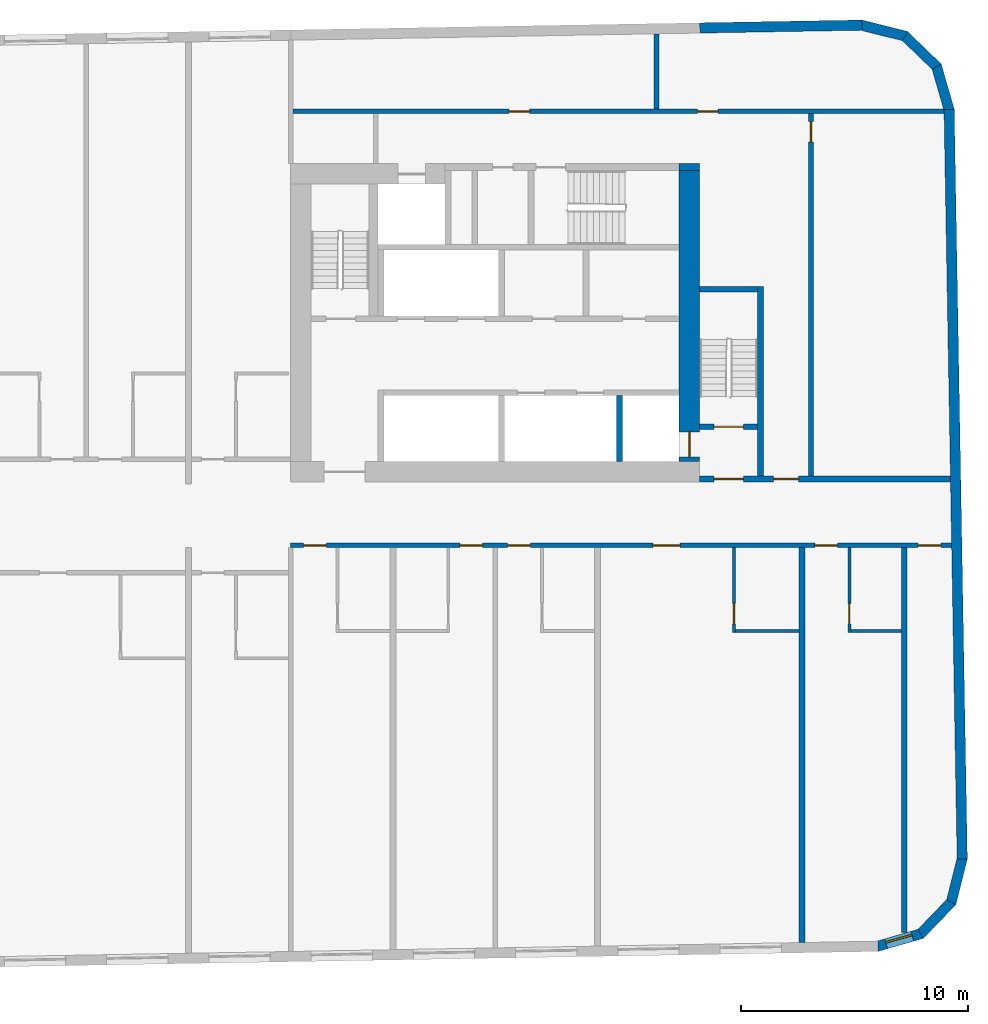
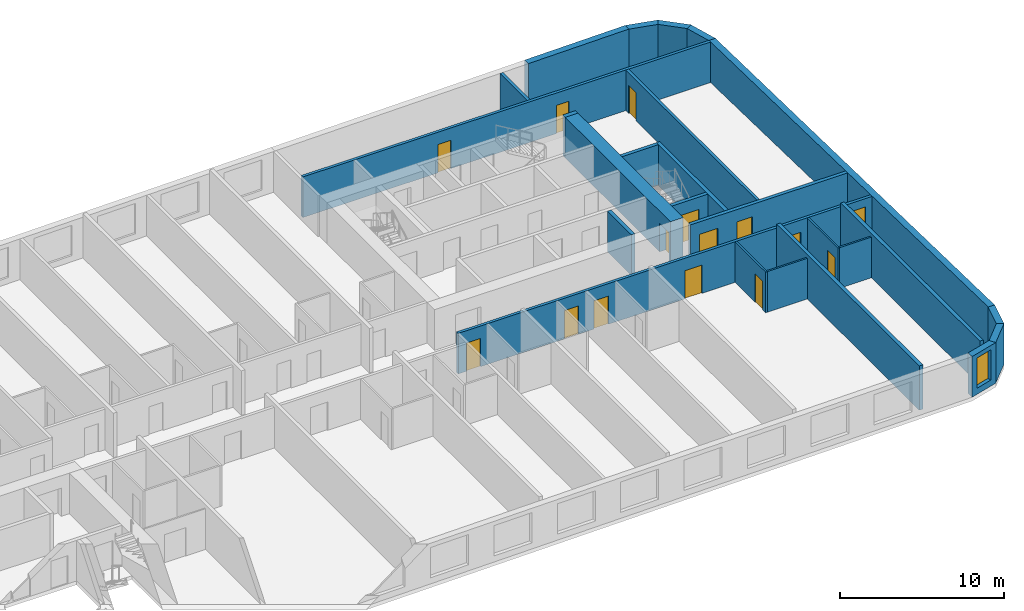
# One storey, part 7 of 11: 25 walls, 15 doors, 1 window, 16 openings.
"""IFC4 building model written with IfcOpenShell, lengths in metres."""

from ifc_helpers import new_model, si_unit, direction, frame, frame_2d, origin, place, context, subcontext, project, spatial, polyline, rectangle, outline, extrude, material, layer, layer_set, type_object, element, fill, save


model = new_model("IFC4")

# Units and contexts
model_context = context("Model", 3, precision=1e-05, world=origin(), true_north=direction((0.0, 1.0)))
body_context = subcontext(model_context, "Body", "Model", "MODEL_VIEW")
ifc_project = project(units=[si_unit("LENGTHUNIT", "METRE"), si_unit("AREAUNIT", "SQUARE_METRE"), si_unit("VOLUMEUNIT", "CUBIC_METRE"), si_unit("PLANEANGLEUNIT", "RADIAN"), si_unit("MASSUNIT", "GRAM", prefix="KILO")], contexts=[model_context])

# Site, building, storey
site_placement = place(None, origin())
site = spatial("IfcSite", under=ifc_project, at=site_placement, CompositionType="ELEMENT")
building_placement = place(site_placement, origin())
building = spatial("IfcBuilding", under=site, at=building_placement, Name="Kajstack Hotel Tower", CompositionType="ELEMENT")
storey_placement = place(building_placement, frame((0.0, 0.0, 240.800048828125)))
storey = spatial("IfcBuildingStorey", under=building, at=storey_placement, Name="L59", CompositionType="ELEMENT", Elevation=240.800048828125)

# Wall
ifc_material_1 = material(Name="Concrete C60/75", Category="concrete")
ifc_layer_1 = layer(ifc_material_1, 0.89990234375)
ifc_layer_set_1 = layer_set([ifc_layer_1], Name="Core wall 900")
wall_type_1 = type_object("IfcWallType", Name="Core wall 900", PredefinedType="SHEAR", material=ifc_layer_set_1)
wall_1_placement = place(storey_placement, frame((30.60009765625, 15.35009765625, 0.0), z_axis=(0.0, 0.0, 1.0), x_axis=(1.0, 0.0, 0.0)))
element("IfcWall", 1, at=wall_1_placement, inside=storey, type_object=wall_type_1, Name="Core wall E RSW", PredefinedType="SHEAR", context=body_context, shape_type="SweptSolid", body=[
    extrude(rectangle(XDim=0.89990234375, YDim=0.300048828125, at=frame_2d((0.449951171875, 0.0))), origin(), (0.0, 0.0, 1.0), 3.02001953125),
])

# Wall, opening, door
wall_2_placement = place(storey_placement, frame((31.050048828125, 2.39990234375, 0.0), z_axis=(0.0, 0.0, 1.0), x_axis=(0.0, 1.0, 0.0)))
wall_2 = element("IfcWall", 2, at=wall_2_placement, inside=storey, type_object=wall_type_1, Name="Core wall E RW", PredefinedType="SHEAR", context=body_context, shape_type="SweptSolid", body=[
    extrude(rectangle(XDim=12.800048828125, YDim=0.89990234375, at=frame_2d((6.39990234375, 0.0))), origin(), (0.0, 0.0, 1.0), 3.02001953125),
])
opening_1_placement = place(wall_2_placement, frame((0.199951171875, 0.0, 0.0)))
opening_1 = element("IfcOpeningElement", 3, at=opening_1_placement, cuts=wall_2, Name="Opening LD-FF2", PredefinedType="OPENING", context=body_context, shape_type="SweptSolid", body=[
    extrude(rectangle(XDim=1.10009765625, YDim=2.10009765625, at=frame_2d((0.550048828125, 1.050048828125))), frame((0.0, 0.4599609375, 0.0), z_axis=(0.0, -1.0, 0.0), x_axis=(1.0, 0.0, 0.0)), (0.0, 0.0, 1.0), 0.919921875),
])
ifc_material_2 = material(Name="Stainless steel", Category="steel")
door_type_1 = type_object("IfcDoorType", Name="Fire-fighting lift landing door 1100", OperationType="SLIDING_TO_LEFT", PredefinedType="DOOR", material=ifc_material_2)
door_1_placement = place(opening_1_placement, origin())
door_1 = element("IfcDoor", 4, at=door_1_placement, inside=storey, type_object=door_type_1, Name="Landing door FF2", OperationType="SLIDING_TO_LEFT", OverallHeight=2.10009765625, OverallWidth=1.10009765625, PredefinedType="DOOR", context=body_context, shape_type="SweptSolid", body=[
    extrude(rectangle(XDim=1.10009765625, YDim=2.10009765625, at=frame_2d((0.550048828125, 1.050048828125))), frame((0.0, 0.02490234375, 0.0), z_axis=(0.0, -1.0, 0.0), x_axis=(1.0, 0.0, 0.0)), (0.0, 0.0, 1.0), 0.050048828125),
])
fill(opening_1, door_1)

# Wall, openings, doors
ifc_material_3 = material(Name="Gypsum board on steel studs, mineral wool", Category="steel")
ifc_layer_2 = layer(ifc_material_3, 0.199951171875)
ifc_layer_set_2 = layer_set([ifc_layer_2], Name="Corridor wall 200")
wall_type_2 = type_object("IfcWallType", Name="Corridor wall 200", PredefinedType="PARTITIONING", material=ifc_layer_set_2)
wall_3_placement = place(storey_placement, frame((13.5, -1.300048828125, 0.0), z_axis=(0.0, 0.0, 1.0), x_axis=(1.0, 0.0, 0.0)))
wall_3 = element("IfcWall", 5, at=wall_3_placement, inside=storey, type_object=wall_type_2, Name="G-wall-L59-034", PredefinedType="PARTITIONING", context=body_context, shape_type="SweptSolid", body=[
    extrude(rectangle(XDim=29.091064453125, YDim=0.199951171875, at=frame_2d((14.54541015625, 0.0))), origin(), (0.0, 0.0, 1.0), 3.02001953125),
])
opening_2_placement = place(wall_3_placement, frame((0.574951171875, 0.0, 0.0)))
opening_2 = element("IfcOpeningElement", 6, at=opening_2_placement, cuts=wall_3, Name="Opening 59033", PredefinedType="OPENING", context=body_context, shape_type="SweptSolid", body=[
    extrude(rectangle(XDim=1.0, YDim=2.10009765625, at=frame_2d((0.5, 1.050048828125))), frame((0.0, 0.10986328125, 0.0), z_axis=(0.0, -1.0, 0.0), x_axis=(1.0, 0.0, 0.0)), (0.0, 0.0, 1.0), 0.219970703125),
])
opening_3_placement = place(wall_3_placement, frame((7.449951171875, 0.0, 0.0)))
opening_3 = element("IfcOpeningElement", 7, at=opening_3_placement, cuts=wall_3, Name="Opening 59035", PredefinedType="OPENING", context=body_context, shape_type="SweptSolid", body=[
    extrude(rectangle(XDim=1.0, YDim=2.10009765625, at=frame_2d((0.5, 1.050048828125))), frame((0.0, 0.10986328125, 0.0), z_axis=(0.0, -1.0, 0.0), x_axis=(1.0, 0.0, 0.0)), (0.0, 0.0, 1.0), 0.219970703125),
])
opening_4_placement = place(wall_3_placement, frame((9.550048828125, 0.0, 0.0)))
opening_4 = element("IfcOpeningElement", 8, at=opening_4_placement, cuts=wall_3, Name="Opening 59037", PredefinedType="OPENING", context=body_context, shape_type="SweptSolid", body=[
    extrude(rectangle(XDim=1.0, YDim=2.10009765625, at=frame_2d((0.5, 1.050048828125))), frame((0.0, 0.10986328125, 0.0), z_axis=(0.0, -1.0, 0.0), x_axis=(1.0, 0.0, 0.0)), (0.0, 0.0, 1.0), 0.219970703125),
])
opening_5_placement = place(wall_3_placement, frame((15.93798828125, 0.0, 0.0)))
opening_5 = element("IfcOpeningElement", 9, at=opening_5_placement, cuts=wall_3, Name="Opening 59039", PredefinedType="OPENING", context=body_context, shape_type="SweptSolid", body=[
    extrude(rectangle(XDim=1.199951171875, YDim=2.10009765625, at=frame_2d((0.60009765625, 1.050048828125))), frame((0.0, 0.10986328125, 0.0), z_axis=(0.0, -1.0, 0.0), x_axis=(1.0, 0.0, 0.0)), (0.0, 0.0, 1.0), 0.219970703125),
])
opening_6_placement = place(wall_3_placement, frame((23.074951171875, 0.0, 0.0)))
opening_6 = element("IfcOpeningElement", 10, at=opening_6_placement, cuts=wall_3, Name="Opening 59041", PredefinedType="OPENING", context=body_context, shape_type="SweptSolid", body=[
    extrude(rectangle(XDim=1.0, YDim=2.10009765625, at=frame_2d((0.5, 1.050048828125))), frame((0.0, 0.10986328125, 0.0), z_axis=(0.0, -1.0, 0.0), x_axis=(1.0, 0.0, 0.0)), (0.0, 0.0, 1.0), 0.219970703125),
])
opening_7_placement = place(wall_3_placement, frame((27.611083984375, 0.0, 0.0)))
opening_7 = element("IfcOpeningElement", 11, at=opening_7_placement, cuts=wall_3, Name="Opening 59043", PredefinedType="OPENING", context=body_context, shape_type="SweptSolid", body=[
    extrude(rectangle(XDim=1.0, YDim=2.39990234375, at=frame_2d((0.5, 1.199951171875))), frame((0.0, 0.10986328125, 0.0), z_axis=(0.0, -1.0, 0.0), x_axis=(1.0, 0.0, 0.0)), (0.0, 0.0, 1.0), 0.219970703125),
])
ifc_material_4 = material(Name="Oak veneer on timber core, fire-rated leaf", Category="wood")
door_type_2 = type_object("IfcDoorType", Name="Flat entrance door 1000", OperationType="SINGLE_SWING_LEFT", PredefinedType="DOOR", material=ifc_material_4)
door_2_placement = place(opening_2_placement, origin())
door_2 = element("IfcDoor", 12, at=door_2_placement, inside=storey, type_object=door_type_2, Name="G-door-L59-33", OperationType="SINGLE_SWING_RIGHT", OverallHeight=2.10009765625, OverallWidth=1.0, PredefinedType="DOOR", context=body_context, shape_type="SweptSolid", body=[
    extrude(rectangle(XDim=1.0, YDim=2.10009765625, at=frame_2d((0.5, 1.050048828125))), frame((0.0, 0.02490234375, 0.0), z_axis=(0.0, -1.0, 0.0), x_axis=(1.0, 0.0, 0.0)), (0.0, 0.0, 1.0), 0.050048828125),
])
fill(opening_2, door_2)
door_3_placement = place(opening_3_placement, origin())
door_3 = element("IfcDoor", 13, at=door_3_placement, inside=storey, type_object=door_type_2, Name="G-door-L59-35", OperationType="SINGLE_SWING_LEFT", OverallHeight=2.10009765625, OverallWidth=1.0, PredefinedType="DOOR", context=body_context, shape_type="SweptSolid", body=[
    extrude(rectangle(XDim=1.0, YDim=2.10009765625, at=frame_2d((0.5, 1.050048828125))), frame((0.0, 0.02490234375, 0.0), z_axis=(0.0, -1.0, 0.0), x_axis=(1.0, 0.0, 0.0)), (0.0, 0.0, 1.0), 0.050048828125),
])
fill(opening_3, door_3)
door_4_placement = place(opening_4_placement, origin())
door_4 = element("IfcDoor", 14, at=door_4_placement, inside=storey, type_object=door_type_2, Name="G-door-L59-37", OperationType="SINGLE_SWING_RIGHT", OverallHeight=2.10009765625, OverallWidth=1.0, PredefinedType="DOOR", context=body_context, shape_type="SweptSolid", body=[
    extrude(rectangle(XDim=1.0, YDim=2.10009765625, at=frame_2d((0.5, 1.050048828125))), frame((0.0, 0.02490234375, 0.0), z_axis=(0.0, -1.0, 0.0), x_axis=(1.0, 0.0, 0.0)), (0.0, 0.0, 1.0), 0.050048828125),
])
fill(opening_4, door_4)
door_5_placement = place(opening_6_placement, origin())
door_5 = element("IfcDoor", 15, at=door_5_placement, inside=storey, type_object=door_type_2, Name="G-door-L59-41", OperationType="SINGLE_SWING_RIGHT", OverallHeight=2.10009765625, OverallWidth=1.0, PredefinedType="DOOR", context=body_context, shape_type="SweptSolid", body=[
    extrude(rectangle(XDim=1.0, YDim=2.10009765625, at=frame_2d((0.5, 1.050048828125))), frame((0.0, 0.02490234375, 0.0), z_axis=(0.0, -1.0, 0.0), x_axis=(1.0, 0.0, 0.0)), (0.0, 0.0, 1.0), 0.050048828125),
])
fill(opening_6, door_5)
door_type_3 = type_object("IfcDoorType", Name="Flat entrance door 1200", OperationType="SINGLE_SWING_LEFT", PredefinedType="DOOR", material=ifc_material_4)
door_6_placement = place(opening_5_placement, origin())
door_6 = element("IfcDoor", 16, at=door_6_placement, inside=storey, type_object=door_type_3, Name="G-door-L59-39", OperationType="SINGLE_SWING_RIGHT", OverallHeight=2.10009765625, OverallWidth=1.199951171875, PredefinedType="DOOR", context=body_context, shape_type="SweptSolid", body=[
    extrude(rectangle(XDim=1.199951171875, YDim=2.10009765625, at=frame_2d((0.60009765625, 1.050048828125))), frame((0.0, 0.02490234375, 0.0), z_axis=(0.0, -1.0, 0.0), x_axis=(1.0, 0.0, 0.0)), (0.0, 0.0, 1.0), 0.050048828125),
])
fill(opening_5, door_6)
ifc_material_5 = material(Name="Steel-faced door leaf, fire-rated", Category="steel")
door_type_4 = type_object("IfcDoorType", Name="Store door 1000", OperationType="SINGLE_SWING_LEFT", PredefinedType="DOOR", material=ifc_material_5)
door_7_placement = place(opening_7_placement, origin())
door_7 = element("IfcDoor", 17, at=door_7_placement, inside=storey, type_object=door_type_4, Name="G-door-L59-43", OperationType="SINGLE_SWING_LEFT", OverallHeight=2.39990234375, OverallWidth=1.0, PredefinedType="DOOR", context=body_context, shape_type="SweptSolid", body=[
    extrude(rectangle(XDim=1.0, YDim=2.39990234375, at=frame_2d((0.5, 1.199951171875))), frame((0.0, 0.02490234375, 0.0), z_axis=(0.0, -1.0, 0.0), x_axis=(1.0, 0.0, 0.0)), (0.0, 0.0, 1.0), 0.050048828125),
])
fill(opening_7, door_7)

# Wall, opening, window
ifc_material_6 = material(Name="Terracotta-faced brick masonry", Category="masonry")
ifc_layer_3 = layer(ifc_material_6, 0.449951171875)
ifc_layer_set_3 = layer_set([ifc_layer_3], Name="EW-TERRA")
wall_type_3 = type_object("IfcWallType", Name="EW-TERRA", PredefinedType="SOLIDWALL", material=ifc_layer_set_3)
wall_4_placement = place(storey_placement, frame((39.290283203125, -18.952392578125, 0.0), z_axis=(0.0, 0.0, 1.0), x_axis=(0.961247584925, 0.275686562016, 0.0)))
wall_4 = element("IfcWall", 18, at=wall_4_placement, inside=storey, type_object=wall_type_3, Name="E-wall-L59-05-00", PredefinedType="SOLIDWALL", context=body_context, shape_type="SweptSolid", body=[
    extrude(outline(polyline([(0.0, -0.224853515625), (2.070556640625, -0.22509765625), (1.949951171875, 0.224853515625), (0.12060546875, 0.22509765625), (0.0, -0.224853515625)])), origin(), (0.0, 0.0, 1.0), 3.02001953125),
])
opening_8_placement = place(wall_4_placement, frame((0.435302734375, 0.0, 0.449951171875)))
opening_8 = element("IfcOpeningElement", 19, at=opening_8_placement, cuts=wall_4, Name="Opening W3", PredefinedType="OPENING", context=body_context, shape_type="SweptSolid", body=[
    extrude(rectangle(XDim=1.199951171875, YDim=2.25, at=frame_2d((0.60009765625, 1.125))), frame((0.0, 0.23486328125, 0.0), z_axis=(0.0, -1.0, 0.0), x_axis=(1.0, 0.0, 0.0)), (0.0, 0.0, 1.0), 0.469970703125),
])
ifc_material_7 = material(Name="Timber-aluminium window, triple glazed", Category="wood")
window_type = type_object("IfcWindowType", Name="WG3", PartitioningType="SINGLE_PANEL", PredefinedType="WINDOW", material=ifc_material_7)
window_placement = place(opening_8_placement, origin())
window = element("IfcWindow", 20, at=window_placement, inside=storey, type_object=window_type, Name="Window W3 L59-05", OverallHeight=2.25, OverallWidth=1.199951171875, PartitioningType="SINGLE_PANEL", PredefinedType="WINDOW", context=body_context, shape_type="SweptSolid", body=[
    extrude(rectangle(XDim=1.199951171875, YDim=2.25, at=frame_2d((0.60009765625, 1.125))), frame((0.0, 0.090087890625, 0.0), z_axis=(0.0, -1.0, 0.0), x_axis=(1.0, 0.0, 0.0)), (0.0, 0.0, 1.0), 0.06005859375),
])
fill(opening_8, window)

# Walls
wall_5_placement = place(storey_placement, frame((41.1806640625, -18.441650390625, 0.0), z_axis=(0.0, 0.0, 1.0), x_axis=(0.694678672846, 0.719320193998, 0.0)))
element("IfcWall", 21, at=wall_5_placement, inside=storey, type_object=wall_type_3, Name="E-wall-L59-06-00", PredefinedType="SOLIDWALL", context=body_context, shape_type="SweptSolid", body=[
    extrude(outline(polyline([(0.0, -0.22509765625), (2.07080078125, -0.224853515625), (1.9501953125, 0.22509765625), (0.12060546875, 0.22509765625), (0.0, -0.22509765625)])), origin(), (0.0, 0.0, 1.0), 3.02001953125),
])
wall_6_placement = place(storey_placement, frame((42.562744140625, -17.053955078125, 0.0), z_axis=(0.0, 0.0, 1.0), x_axis=(0.241841950319, 0.970315655375, 0.0)))
element("IfcWall", 22, at=wall_6_placement, inside=storey, type_object=wall_type_3, Name="E-wall-L59-07-00", PredefinedType="SOLIDWALL", context=body_context, shape_type="SweptSolid", body=[
    extrude(outline(polyline([(0.0, -0.224853515625), (2.070556640625, -0.22509765625), (1.949951171875, 0.224853515625), (0.12060546875, 0.22509765625), (0.0, -0.224853515625)])), origin(), (0.0, 0.0, 1.0), 3.02001953125),
])
wall_7_placement = place(storey_placement, frame((43.056884765625, -15.103271484375, 0.0), z_axis=(0.0, 0.0, 1.0), x_axis=(-0.017452408953, 0.999847695112, 0.0)))
element("IfcWall", 23, at=wall_7_placement, inside=storey, type_object=wall_type_3, Name="E-wall-L59-08-00", PredefinedType="SOLIDWALL", context=body_context, shape_type="SweptSolid", body=[
    extrude(rectangle(XDim=33.0, YDim=0.449951171875, at=frame_2d((16.5, 0.0))), origin(), (0.0, 0.0, 1.0), 3.02001953125),
])
wall_8_placement = place(storey_placement, frame((42.489501953125, 17.83349609375, 0.0), z_axis=(0.0, 0.0, 1.0), x_axis=(-0.275546368831, 0.961287781377, 0.0)))
element("IfcWall", 24, at=wall_8_placement, inside=storey, type_object=wall_type_3, Name="E-wall-L59-09-00", PredefinedType="SOLIDWALL", context=body_context, shape_type="SweptSolid", body=[
    extrude(outline(polyline([(0.0, -0.22509765625), (2.070556640625, -0.224853515625), (1.949951171875, 0.22509765625), (0.12060546875, 0.224853515625), (0.0, -0.22509765625)])), origin(), (0.0, 0.0, 1.0), 3.02001953125),
])
wall_9_placement = place(storey_placement, frame((41.97900390625, 19.72412109375, 0.0), z_axis=(0.0, 0.0, 1.0), x_axis=(-0.719379111448, 0.694617660308, 0.0)))
element("IfcWall", 25, at=wall_9_placement, inside=storey, type_object=wall_type_3, Name="E-wall-L59-10-00", PredefinedType="SOLIDWALL", context=body_context, shape_type="SweptSolid", body=[
    extrude(outline(polyline([(0.0, -0.224853515625), (2.070556640625, -0.22509765625), (1.949951171875, 0.224853515625), (0.12060546875, 0.22509765625), (0.0, -0.224853515625)])), origin(), (0.0, 0.0, 1.0), 3.02001953125),
])
wall_10_placement = place(storey_placement, frame((40.59130859375, 21.10595703125, 0.0), z_axis=(0.0, 0.0, 1.0), x_axis=(-0.970287979719, 0.241952963225, 0.0)))
element("IfcWall", 26, at=wall_10_placement, inside=storey, type_object=wall_type_3, Name="E-wall-L59-11-00", PredefinedType="SOLIDWALL", context=body_context, shape_type="SweptSolid", body=[
    extrude(outline(polyline([(0.0, -0.22509765625), (2.070556640625, -0.224853515625), (1.949951171875, 0.22509765625), (0.12060546875, 0.224853515625), (0.0, -0.22509765625)])), origin(), (0.0, 0.0, 1.0), 3.02001953125),
])
wall_11_placement = place(storey_placement, frame((38.640625, 21.600341796875, 0.0), z_axis=(0.0, 0.0, 1.0), x_axis=(-0.999847245074, -0.017478172627, 0.0)))
element("IfcWall", 27, at=wall_11_placement, inside=storey, type_object=wall_type_3, Name="E-wall-L59-12-00", PredefinedType="SOLIDWALL", context=body_context, shape_type="SweptSolid", body=[
    extrude(rectangle(XDim=7.1376953125, YDim=0.449951171875, at=frame_2d((3.56884765625, 0.0))), origin(), (0.0, 0.0, 1.0), 3.02001953125),
])

# Wall, opening, door
ifc_material_8 = material(Name="Gypsum board and tiled backer on steel studs", Category="steel")
ifc_layer_4 = layer(ifc_material_8, 0.125)
ifc_layer_set_4 = layer_set([ifc_layer_4], Name="En-suite wall 125")
wall_type_4 = type_object("IfcWallType", Name="En-suite wall 125", PredefinedType="PARTITIONING", material=ifc_layer_set_4)
wall_12_placement = place(storey_placement, frame((33.012939453125, -5.125, 0.0), z_axis=(0.0, 0.0, 1.0), x_axis=(0.0, 1.0, 0.0)))
wall_12 = element("IfcWall", 28, at=wall_12_placement, inside=storey, type_object=wall_type_4, Name="G-wall-L59-052", PredefinedType="PARTITIONING", context=body_context, shape_type="SweptSolid", body=[
    extrude(rectangle(XDim=3.72509765625, YDim=0.125, at=frame_2d((1.862548828125, 0.0))), origin(), (0.0, 0.0, 1.0), 3.02001953125),
])
opening_9_placement = place(wall_12_placement, frame((0.375, 0.0, 0.0)))
opening_9 = element("IfcOpeningElement", 29, at=opening_9_placement, cuts=wall_12, Name="Opening 59040", PredefinedType="OPENING", context=body_context, shape_type="SweptSolid", body=[
    extrude(rectangle(XDim=0.89990234375, YDim=2.10009765625, at=frame_2d((0.449951171875, 1.050048828125))), frame((0.0, 0.072509765625, 0.0), z_axis=(0.0, -1.0, 0.0), x_axis=(1.0, 0.0, 0.0)), (0.0, 0.0, 1.0), 0.14501953125),
])
ifc_material_9 = material(Name="Painted timber door leaf", Category="wood")
door_type_5 = type_object("IfcDoorType", Name="Room door 900", OperationType="SINGLE_SWING_LEFT", PredefinedType="DOOR", material=ifc_material_9)
door_8_placement = place(opening_9_placement, origin())
door_8 = element("IfcDoor", 30, at=door_8_placement, inside=storey, type_object=door_type_5, Name="G-door-L59-40", OperationType="SINGLE_SWING_RIGHT", OverallHeight=2.10009765625, OverallWidth=0.89990234375, PredefinedType="DOOR", context=body_context, shape_type="SweptSolid", body=[
    extrude(rectangle(XDim=0.89990234375, YDim=2.10009765625, at=frame_2d((0.449951171875, 1.050048828125))), frame((0.0, 0.02490234375, 0.0), z_axis=(0.0, -1.0, 0.0), x_axis=(1.0, 0.0, 0.0)), (0.0, 0.0, 1.0), 0.050048828125),
])
fill(opening_9, door_8)

# Wall
wall_13_placement = place(storey_placement, frame((33.074951171875, -5.06201171875, 0.0), z_axis=(0.0, 0.0, 1.0), x_axis=(1.0, 0.0, 0.0)))
element("IfcWall", 31, at=wall_13_placement, inside=storey, type_object=wall_type_4, Name="G-wall-L59-053", PredefinedType="PARTITIONING", context=body_context, shape_type="SweptSolid", body=[
    extrude(rectangle(XDim=2.800048828125, YDim=0.125, at=frame_2d((1.39990234375, 0.0))), origin(), (0.0, 0.0, 1.0), 3.02001953125),
])

# Wall, opening, door
wall_14_placement = place(storey_placement, frame((38.0869140625, -5.125, 0.0), z_axis=(0.0, 0.0, 1.0), x_axis=(0.0, 1.0, 0.0)))
wall_14 = element("IfcWall", 32, at=wall_14_placement, inside=storey, type_object=wall_type_4, Name="G-wall-L59-054", PredefinedType="PARTITIONING", context=body_context, shape_type="SweptSolid", body=[
    extrude(rectangle(XDim=3.72509765625, YDim=0.125, at=frame_2d((1.862548828125, 0.0))), origin(), (0.0, 0.0, 1.0), 3.02001953125),
])
opening_10_placement = place(wall_14_placement, frame((0.375, 0.0, 0.0)))
opening_10 = element("IfcOpeningElement", 33, at=opening_10_placement, cuts=wall_14, Name="Opening 59042", PredefinedType="OPENING", context=body_context, shape_type="SweptSolid", body=[
    extrude(rectangle(XDim=0.89990234375, YDim=2.10009765625, at=frame_2d((0.449951171875, 1.050048828125))), frame((0.0, 0.072509765625, 0.0), z_axis=(0.0, -1.0, 0.0), x_axis=(1.0, 0.0, 0.0)), (0.0, 0.0, 1.0), 0.14501953125),
])
door_9_placement = place(opening_10_placement, origin())
door_9 = element("IfcDoor", 34, at=door_9_placement, inside=storey, type_object=door_type_5, Name="G-door-L59-42", OperationType="SINGLE_SWING_LEFT", OverallHeight=2.10009765625, OverallWidth=0.89990234375, PredefinedType="DOOR", context=body_context, shape_type="SweptSolid", body=[
    extrude(rectangle(XDim=0.89990234375, YDim=2.10009765625, at=frame_2d((0.449951171875, 1.050048828125))), frame((0.0, 0.02490234375, 0.0), z_axis=(0.0, -1.0, 0.0), x_axis=(1.0, 0.0, 0.0)), (0.0, 0.0, 1.0), 0.050048828125),
])
fill(opening_10, door_9)

# Walls
wall_15_placement = place(storey_placement, frame((38.14990234375, -5.06201171875, 0.0), z_axis=(0.0, 0.0, 1.0), x_axis=(1.0, 0.0, 0.0)))
element("IfcWall", 35, at=wall_15_placement, inside=storey, type_object=wall_type_4, Name="G-wall-L59-055", PredefinedType="PARTITIONING", context=body_context, shape_type="SweptSolid", body=[
    extrude(rectangle(XDim=2.22509765625, YDim=0.125, at=frame_2d((1.112548828125, 0.0))), origin(), (0.0, 0.0, 1.0), 3.02001953125),
])
ifc_material_10 = material(Name="Concrete C45/55", Category="concrete")
ifc_layer_5 = layer(ifc_material_10, 0.25)
ifc_layer_set_5 = layer_set([ifc_layer_5], Name="RC cross wall 250 C45/55")
wall_type_5 = type_object("IfcWallType", Name="RC cross wall 250 C45/55", PredefinedType="SHEAR", material=ifc_layer_set_5)
wall_16_placement = place(storey_placement, frame((36.0, -18.764892578125, 0.0), z_axis=(0.0, 0.0, 1.0), x_axis=(0.0, 1.0, 0.0)))
element("IfcWall", 36, at=wall_16_placement, inside=storey, type_object=wall_type_5, Name="S-wall-L59-12", PredefinedType="SHEAR", context=body_context, shape_type="SweptSolid", body=[
    extrude(rectangle(XDim=17.364990234375, YDim=0.25, at=frame_2d((8.6826171875, 0.0))), origin(), (0.0, 0.0, 1.0), 3.300048828125),
])
wall_17_placement = place(storey_placement, frame((40.5, -18.3251953125, 0.0), z_axis=(0.0, 0.0, 1.0), x_axis=(0.0, 1.0, 0.0)))
element("IfcWall", 37, at=wall_17_placement, inside=storey, type_object=wall_type_5, Name="S-wall-L59-13", PredefinedType="SHEAR", context=body_context, shape_type="SweptSolid", body=[
    extrude(rectangle(XDim=16.92529296875, YDim=0.25, at=frame_2d((8.462646484375, 0.0))), origin(), (0.0, 0.0, 1.0), 3.300048828125),
])

# Wall, openings, doors
ifc_layer_6 = layer(ifc_material_3, 0.199951171875)
ifc_layer_set_6 = layer_set([ifc_layer_6], Name="Service partition 200")
wall_type_6 = type_object("IfcWallType", Name="Service partition 200", PredefinedType="PARTITIONING", material=ifc_layer_set_6)
wall_18_placement = place(storey_placement, frame((31.5, 1.625, 0.0), z_axis=(0.0, 0.0, 1.0), x_axis=(1.0, 0.0, 0.0)))
wall_18 = element("IfcWall", 38, at=wall_18_placement, inside=storey, type_object=wall_type_6, Name="Partition E SN", PredefinedType="PARTITIONING", context=body_context, shape_type="SweptSolid", body=[
    extrude(rectangle(XDim=11.039794921875, YDim=0.25, at=frame_2d((5.52001953125, 0.0))), origin(), (0.0, 0.0, 1.0), 3.02001953125),
])
opening_11_placement = place(wall_18_placement, frame((0.625, 0.0, 0.0)))
opening_11 = element("IfcOpeningElement", 39, at=opening_11_placement, cuts=wall_18, Name="Opening 59E08", PredefinedType="OPENING", context=body_context, shape_type="SweptSolid", body=[
    extrude(rectangle(XDim=1.300048828125, YDim=2.10009765625, at=frame_2d((0.64990234375, 1.050048828125))), frame((0.0, 0.135009765625, 0.0), z_axis=(0.0, -1.0, 0.0), x_axis=(1.0, 0.0, 0.0)), (0.0, 0.0, 1.0), 0.27001953125),
])
opening_12_placement = place(wall_18_placement, frame((3.25, 0.0, 0.0)))
opening_12 = element("IfcOpeningElement", 40, at=opening_12_placement, cuts=wall_18, Name="Opening 59E10", PredefinedType="OPENING", context=body_context, shape_type="SweptSolid", body=[
    extrude(rectangle(XDim=1.10009765625, YDim=2.10009765625, at=frame_2d((0.550048828125, 1.050048828125))), frame((0.0, 0.135009765625, 0.0), z_axis=(0.0, -1.0, 0.0), x_axis=(1.0, 0.0, 0.0)), (0.0, 0.0, 1.0), 0.27001953125),
])
ifc_material_11 = material(Name="Steel leaf, fire-rated", Category="steel")
door_type_6 = type_object("IfcDoorType", Name="Fire lobby door 1300", OperationType="SINGLE_SWING_LEFT", PredefinedType="DOOR", material=ifc_material_11)
door_10_placement = place(opening_11_placement, origin())
door_10 = element("IfcDoor", 41, at=door_10_placement, inside=storey, type_object=door_type_6, Name="Door 59E08", OperationType="SINGLE_SWING_LEFT", OverallHeight=2.10009765625, OverallWidth=1.300048828125, PredefinedType="DOOR", context=body_context, shape_type="SweptSolid", body=[
    extrude(rectangle(XDim=1.300048828125, YDim=2.10009765625, at=frame_2d((0.64990234375, 1.050048828125))), frame((0.0, 0.02490234375, 0.0), z_axis=(0.0, -1.0, 0.0), x_axis=(1.0, 0.0, 0.0)), (0.0, 0.0, 1.0), 0.050048828125),
])
fill(opening_11, door_10)
ifc_material_12 = material(Name="Timber leaf, fire-rated", Category="wood")
door_type_7 = type_object("IfcDoorType", Name="Service corridor door 1100", OperationType="SINGLE_SWING_LEFT", PredefinedType="DOOR", material=ifc_material_12)
door_11_placement = place(opening_12_placement, origin())
door_11 = element("IfcDoor", 42, at=door_11_placement, inside=storey, type_object=door_type_7, Name="Door 59E10", OperationType="SINGLE_SWING_LEFT", OverallHeight=2.10009765625, OverallWidth=1.10009765625, PredefinedType="DOOR", context=body_context, shape_type="SweptSolid", body=[
    extrude(rectangle(XDim=1.10009765625, YDim=2.10009765625, at=frame_2d((0.550048828125, 1.050048828125))), frame((0.0, 0.02490234375, 0.0), z_axis=(0.0, -1.0, 0.0), x_axis=(1.0, 0.0, 0.0)), (0.0, 0.0, 1.0), 0.050048828125),
])
fill(opening_12, door_11)

# Wall, opening, door
wall_19_placement = place(storey_placement, frame((36.39990234375, 1.75, 0.0), z_axis=(0.0, 0.0, 1.0), x_axis=(0.0, 1.0, 0.0)))
wall_19 = element("IfcWall", 43, at=wall_19_placement, inside=storey, type_object=wall_type_6, Name="Partition E WRE", PredefinedType="PARTITIONING", context=body_context, shape_type="SweptSolid", body=[
    extrude(rectangle(XDim=15.949951171875, YDim=0.199951171875, at=frame_2d((7.97509765625, 0.0))), origin(), (0.0, 0.0, 1.0), 3.02001953125),
])
opening_13_placement = place(wall_19_placement, frame((14.699951171875, 0.0, 0.0)))
opening_13 = element("IfcOpeningElement", 44, at=opening_13_placement, cuts=wall_19, Name="Opening 59E18", PredefinedType="OPENING", context=body_context, shape_type="SweptSolid", body=[
    extrude(rectangle(XDim=0.89990234375, YDim=2.10009765625, at=frame_2d((0.449951171875, 1.050048828125))), frame((0.0, 0.10986328125, 0.0), z_axis=(0.0, -1.0, 0.0), x_axis=(1.0, 0.0, 0.0)), (0.0, 0.0, 1.0), 0.219970703125),
])
door_type_8 = type_object("IfcDoorType", Name="Service door 900", OperationType="SINGLE_SWING_LEFT", PredefinedType="DOOR", material=ifc_material_12)
door_12_placement = place(opening_13_placement, origin())
door_12 = element("IfcDoor", 45, at=door_12_placement, inside=storey, type_object=door_type_8, Name="Door 59E18", OperationType="SINGLE_SWING_RIGHT", OverallHeight=2.10009765625, OverallWidth=0.89990234375, PredefinedType="DOOR", context=body_context, shape_type="SweptSolid", body=[
    extrude(rectangle(XDim=0.89990234375, YDim=2.10009765625, at=frame_2d((0.449951171875, 1.050048828125))), frame((0.0, 0.02490234375, 0.0), z_axis=(0.0, -1.0, 0.0), x_axis=(1.0, 0.0, 0.0)), (0.0, 0.0, 1.0), 0.050048828125),
])
fill(opening_13, door_12)

# Wall, openings, doors
wall_20_placement = place(storey_placement, frame((13.60009765625, 17.800048828125, 0.0), z_axis=(0.0, 0.0, 1.0), x_axis=(1.0, 0.0, 0.0)))
wall_20 = element("IfcWall", 46, at=wall_20_placement, inside=storey, type_object=wall_type_6, Name="Partition E SLN", PredefinedType="PARTITIONING", context=body_context, shape_type="SweptSolid", body=[
    extrude(rectangle(XDim=28.657470703125, YDim=0.199951171875, at=frame_2d((14.32861328125, 0.0))), origin(), (0.0, 0.0, 1.0), 3.02001953125),
])
opening_14_placement = place(wall_20_placement, frame((17.8125, 0.0, 0.0)))
opening_14 = element("IfcOpeningElement", 47, at=opening_14_placement, cuts=wall_20, Name="Opening 59E16", PredefinedType="OPENING", context=body_context, shape_type="SweptSolid", body=[
    extrude(rectangle(XDim=0.89990234375, YDim=2.10009765625, at=frame_2d((0.449951171875, 1.050048828125))), frame((0.0, 0.10986328125, 0.0), z_axis=(0.0, -1.0, 0.0), x_axis=(1.0, 0.0, 0.0)), (0.0, 0.0, 1.0), 0.219970703125),
])
opening_15_placement = place(wall_20_placement, frame((9.512451171875, 0.0, 0.0)))
opening_15 = element("IfcOpeningElement", 48, at=opening_15_placement, cuts=wall_20, Name="Opening 59E17", PredefinedType="OPENING", context=body_context, shape_type="SweptSolid", body=[
    extrude(rectangle(XDim=0.89990234375, YDim=2.10009765625, at=frame_2d((0.449951171875, 1.050048828125))), frame((0.0, 0.10986328125, 0.0), z_axis=(0.0, -1.0, 0.0), x_axis=(1.0, 0.0, 0.0)), (0.0, 0.0, 1.0), 0.219970703125),
])
door_13_placement = place(opening_14_placement, origin())
door_13 = element("IfcDoor", 49, at=door_13_placement, inside=storey, type_object=door_type_8, Name="Door 59E16", OperationType="SINGLE_SWING_LEFT", OverallHeight=2.10009765625, OverallWidth=0.89990234375, PredefinedType="DOOR", context=body_context, shape_type="SweptSolid", body=[
    extrude(rectangle(XDim=0.89990234375, YDim=2.10009765625, at=frame_2d((0.449951171875, 1.050048828125))), frame((0.0, 0.02490234375, 0.0), z_axis=(0.0, -1.0, 0.0), x_axis=(1.0, 0.0, 0.0)), (0.0, 0.0, 1.0), 0.050048828125),
])
fill(opening_14, door_13)
door_14_placement = place(opening_15_placement, origin())
door_14 = element("IfcDoor", 50, at=door_14_placement, inside=storey, type_object=door_type_8, Name="Door 59E17", OperationType="SINGLE_SWING_LEFT", OverallHeight=2.10009765625, OverallWidth=0.89990234375, PredefinedType="DOOR", context=body_context, shape_type="SweptSolid", body=[
    extrude(rectangle(XDim=0.89990234375, YDim=2.10009765625, at=frame_2d((0.449951171875, 1.050048828125))), frame((0.0, 0.02490234375, 0.0), z_axis=(0.0, -1.0, 0.0), x_axis=(1.0, 0.0, 0.0)), (0.0, 0.0, 1.0), 0.050048828125),
])
fill(opening_15, door_14)

# Walls
wall_21_placement = place(storey_placement, frame((29.60009765625, 17.89990234375, 0.0), z_axis=(0.0, 0.0, 1.0), x_axis=(0.0, 1.0, 0.0)))
element("IfcWall", 51, at=wall_21_placement, inside=storey, type_object=wall_type_6, Name="Partition E SLP0", PredefinedType="PARTITIONING", context=body_context, shape_type="SweptSolid", body=[
    extrude(rectangle(XDim=3.317626953125, YDim=0.199951171875, at=frame_2d((1.65869140625, 0.0))), origin(), (0.0, 0.0, 1.0), 3.02001953125),
])
ifc_material_13 = material(Name="Concrete C50/60", Category="concrete")
ifc_layer_7 = layer(ifc_material_13, 0.25)
ifc_layer_set_7 = layer_set([ifc_layer_7], Name="Shaft wall 250")
wall_type_7 = type_object("IfcWallType", Name="Shaft wall 250", PredefinedType="SHEAR", material=ifc_layer_set_7)
wall_22_placement = place(storey_placement, frame((27.97509765625, 2.39990234375, 0.0), z_axis=(0.0, 0.0, 1.0), x_axis=(0.0, 1.0, 0.0)))
element("IfcWall", 52, at=wall_22_placement, inside=storey, type_object=wall_type_7, Name="Core wall E AP0", PredefinedType="SHEAR", context=body_context, shape_type="SweptSolid", body=[
    extrude(rectangle(XDim=2.900146484375, YDim=0.25, at=frame_2d((1.4501953125, 0.0))), origin(), (0.0, 0.0, 1.0), 3.02001953125),
])

# Wall, opening, door
ifc_material_14 = material(Name="Concrete C40/50", Category="concrete")
ifc_layer_8 = layer(ifc_material_14, 0.25)
ifc_layer_set_8 = layer_set([ifc_layer_8], Name="Stair enclosure wall 250")
wall_type_8 = type_object("IfcWallType", Name="Stair enclosure wall 250", PredefinedType="SHEAR", material=ifc_layer_set_8)
wall_23_placement = place(storey_placement, frame((31.5, 3.925048828125, 0.0), z_axis=(0.0, 0.0, 1.0), x_axis=(1.0, 0.0, 0.0)))
wall_23 = element("IfcWall", 53, at=wall_23_placement, inside=storey, type_object=wall_type_8, Name="Core wall E W1N", PredefinedType="SHEAR", context=body_context, shape_type="SweptSolid", body=[
    extrude(rectangle(XDim=2.550048828125, YDim=0.25, at=frame_2d((1.27490234375, 0.0))), origin(), (0.0, 0.0, 1.0), 3.02001953125),
])
opening_16_placement = place(wall_23_placement, frame((0.625, 0.0, 0.0)))
opening_16 = element("IfcOpeningElement", 54, at=opening_16_placement, cuts=wall_23, Name="Opening 59E09", PredefinedType="OPENING", context=body_context, shape_type="SweptSolid", body=[
    extrude(rectangle(XDim=1.300048828125, YDim=2.10009765625, at=frame_2d((0.64990234375, 1.050048828125))), frame((0.0, 0.135009765625, 0.0), z_axis=(0.0, -1.0, 0.0), x_axis=(1.0, 0.0, 0.0)), (0.0, 0.0, 1.0), 0.27001953125),
])
door_type_9 = type_object("IfcDoorType", Name="Stair door 1300", OperationType="SINGLE_SWING_LEFT", PredefinedType="DOOR", material=ifc_material_11)
door_15_placement = place(opening_16_placement, origin())
door_15 = element("IfcDoor", 55, at=door_15_placement, inside=storey, type_object=door_type_9, Name="Door 59E09", OperationType="SINGLE_SWING_LEFT", OverallHeight=2.10009765625, OverallWidth=1.300048828125, PredefinedType="DOOR", context=body_context, shape_type="SweptSolid", body=[
    extrude(rectangle(XDim=1.300048828125, YDim=2.10009765625, at=frame_2d((0.64990234375, 1.050048828125))), frame((0.0, 0.02490234375, 0.0), z_axis=(0.0, -1.0, 0.0), x_axis=(1.0, 0.0, 0.0)), (0.0, 0.0, 1.0), 0.050048828125),
])
fill(opening_16, door_15)

# Walls
wall_24_placement = place(storey_placement, frame((34.175048828125, 1.75, 0.0), z_axis=(0.0, 0.0, 1.0), x_axis=(0.0, 1.0, 0.0)))
element("IfcWall", 56, at=wall_24_placement, inside=storey, type_object=wall_type_8, Name="Core wall E W1W", PredefinedType="SHEAR", context=body_context, shape_type="SweptSolid", body=[
    extrude(rectangle(XDim=8.35009765625, YDim=0.25, at=frame_2d((4.175048828125, 0.0))), origin(), (0.0, 0.0, 1.0), 3.02001953125),
])
wall_25_placement = place(storey_placement, frame((31.5, 9.97509765625, 0.0), z_axis=(0.0, 0.0, 1.0), x_axis=(1.0, 0.0, 0.0)))
element("IfcWall", 57, at=wall_25_placement, inside=storey, type_object=wall_type_8, Name="Core wall E W1S", PredefinedType="SHEAR", context=body_context, shape_type="SweptSolid", body=[
    extrude(rectangle(XDim=2.550048828125, YDim=0.25, at=frame_2d((1.27490234375, 0.0))), origin(), (0.0, 0.0, 1.0), 3.02001953125),
])

save(model, "model.ifc")
